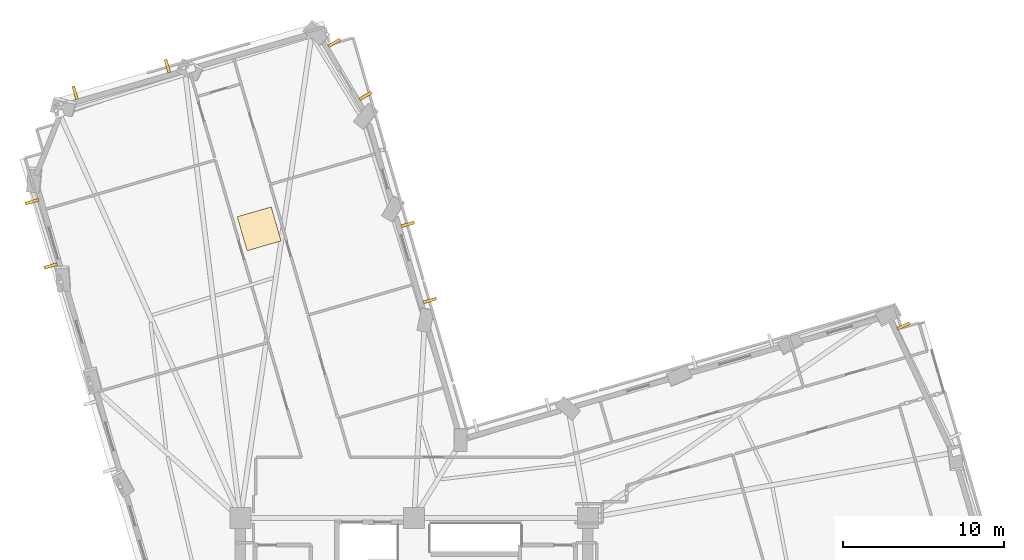
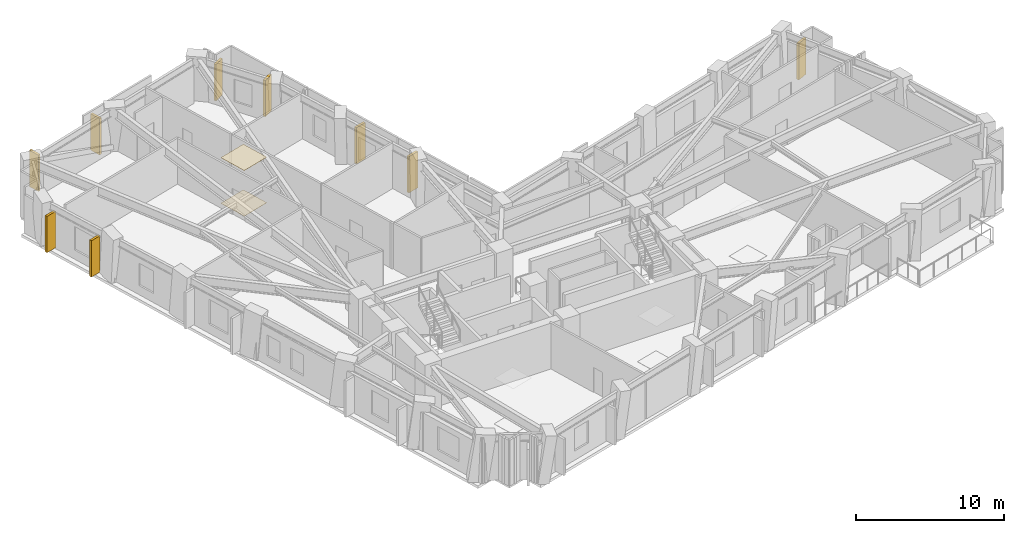
# One storey, part 14 of 15: 9 shading devices, 2 coverings.
"""IFC4 building model written with IfcOpenShell, lengths in metres."""

from ifc_helpers import new_model, si_unit, direction, frame, origin, origin_2d, place, context, subcontext, project, spatial, rectangle, extrude, material, layer, layer_set, type_object, element, save


model = new_model("IFC4")

# Units and contexts
model_context = context("Model", 3, precision=1e-05, world=origin(), true_north=direction((0.0, 1.0)))
body_context = subcontext(model_context, "Body", "Model", "MODEL_VIEW")
ifc_project = project(units=[si_unit("LENGTHUNIT", "METRE"), si_unit("AREAUNIT", "SQUARE_METRE"), si_unit("VOLUMEUNIT", "CUBIC_METRE"), si_unit("PLANEANGLEUNIT", "RADIAN"), si_unit("MASSUNIT", "GRAM", prefix="KILO")], contexts=[model_context])

# Site, building, storey
site_placement = place(None, origin())
site = spatial("IfcSite", under=ifc_project, at=site_placement, CompositionType="ELEMENT")
building_placement = place(site_placement, origin())
building = spatial("IfcBuilding", under=site, at=building_placement, Name="Gaonmaruhae Medical Tower", CompositionType="ELEMENT")
storey_placement = place(building_placement, frame((0.0, 0.0, 92.39990234375)))
storey = spatial("IfcBuildingStorey", under=building, at=storey_placement, Name="L21", CompositionType="ELEMENT", Elevation=92.39990234375)

# Coverings
ifc_material_1 = material(Name="Acoustic mineral ceiling tile", Category="finish")
ifc_layer_1 = layer(ifc_material_1, 0.02490234375)
ifc_layer_set_1 = layer_set([ifc_layer_1], Name="Acoustic mineral ceiling tile")
covering_type_1 = type_object("IfcCoveringType", Name="CLG-01 Antimicrobial Acoustic Mineral Ceiling", PredefinedType="CEILING", material=ifc_layer_set_1)
covering_1_placement = place(storey_placement, frame((15.17138671875, 34.781005859375, 3.755126953125), z_axis=(0.0, 0.0, 1.0), x_axis=(0.960536785663, 0.278152985584, 0.0)))
element("IfcCovering", 1, at=covering_1_placement, inside=storey, type_object=covering_type_1, Name="L21 Clinical Corridor Acoustic Ceiling", PredefinedType="CEILING", context=body_context, shape_type="SweptSolid", body=[
    extrude(rectangle(XDim=2.199951171875, YDim=2.199951171875, at=origin_2d()), origin(), (0.0, 0.0, 1.0), 0.02490234375),
])
ifc_material_2 = material(Name="Seamless clinical vinyl flooring", Category="finish")
ifc_layer_2 = layer(ifc_material_2, 0.014892578125)
ifc_layer_set_2 = layer_set([ifc_layer_2], Name="Seamless clinical vinyl flooring")
covering_type_2 = type_object("IfcCoveringType", Name="FLR-01 Seamless Clinical Antistatic Vinyl Flooring", PredefinedType="FLOORING", material=ifc_layer_set_2)
covering_2_placement = place(storey_placement, frame((15.17138671875, 34.781005859375, 0.00048828125), z_axis=(0.0, 0.0, 1.0), x_axis=(0.960536785663, 0.278152985584, 0.0)))
element("IfcCovering", 2, at=covering_2_placement, inside=storey, type_object=covering_type_2, Name="L21 Clinical Corridor Vinyl Flooring", PredefinedType="FLOORING", context=body_context, shape_type="SweptSolid", body=[
    extrude(rectangle(XDim=2.199951171875, YDim=2.199951171875, at=origin_2d()), origin(), (0.0, 0.0, 1.0), 0.014892578125),
])

# Shading devices
ifc_material_3 = material(Name="Pigmented coral precast concrete C45/55", Category="concrete")
shading_device_type = type_object("IfcShadingDeviceType", Name="SD-FIN1 Tower Vertical Coral Precast Shading Fin", PredefinedType="USERDEFINED", material=ifc_material_3)
for number, where, z_axis, x_axis, name in (
    (3, (55.21337890625, 28.7421875, 0.08251953125), (0.0, 0.0, 1.0), (0.421668946893, -0.906749854826, 0.0), "L21 Vertical Coral Precast Shading Fin E02"),
    (4, (24.39892578125, 35.056884765625, 0.08251953125), (0.0, 0.0, 1.0), (0.278152985584, -0.960536785663, 0.0), "L21 Vertical Coral Precast Shading Fin NE01"),
    (5, (25.768310546875, 30.328369140625, 0.08251953125), (0.0, 0.0, 1.0), (0.278152985584, -0.960536785663, 0.0), "L21 Vertical Coral Precast Shading Fin NE01B"),
    (6, (19.83837890625, 46.338623046875, 0.08251953125), (0.0, 0.0, 1.0), (0.508004474889, -0.861354429658, 0.0), "L21 Vertical Coral Precast Shading Fin NE03"),
    (7, (21.783447265625, 43.041015625, 0.08251953125), (0.0, 0.0, 1.0), (0.508004474889, -0.861354429658, 0.0), "L21 Vertical Coral Precast Shading Fin NE03B"),
    (8, (3.736328125, 43.23583984375, 0.08251953125), (0.0, 0.0, 1.0), (0.960536785663, 0.278152985584, 0.0), "L21 Vertical Coral Precast Shading Fin N02"),
    (9, (9.470947265625, 44.896484375, 0.08251953125), (0.0, 0.0, 1.0), (0.960536785663, 0.278152985584, 0.0), "L21 Vertical Coral Precast Shading Fin N02B"),
    (10, (2.2119140625, 32.47412109375, 0.08251953125), (0.0, 0.0, 1.0), (-0.278152985584, 0.960536785663, 0.0), "L21 Vertical Coral Precast Shading Fin W01"),
    (11, (1.055908203125, 36.465576171875, 0.08251953125), (0.0, 0.0, 1.0), (-0.278152985584, 0.960536785663, 0.0), "L21 Vertical Coral Precast Shading Fin W01B"),
):
    element("IfcShadingDevice", number, at=place(storey_placement, frame(where, z_axis=z_axis, x_axis=x_axis)), inside=storey, type_object=shading_device_type, Name=name, ObjectType="FIN", PredefinedType="USERDEFINED", context=body_context, shape_type="SweptSolid", body=[
        extrude(rectangle(XDim=0.179931640625, YDim=0.85009765625, at=origin_2d()), origin(), (0.0, 0.0, 1.0), 3.0),
    ])

save(model, "model.ifc")
